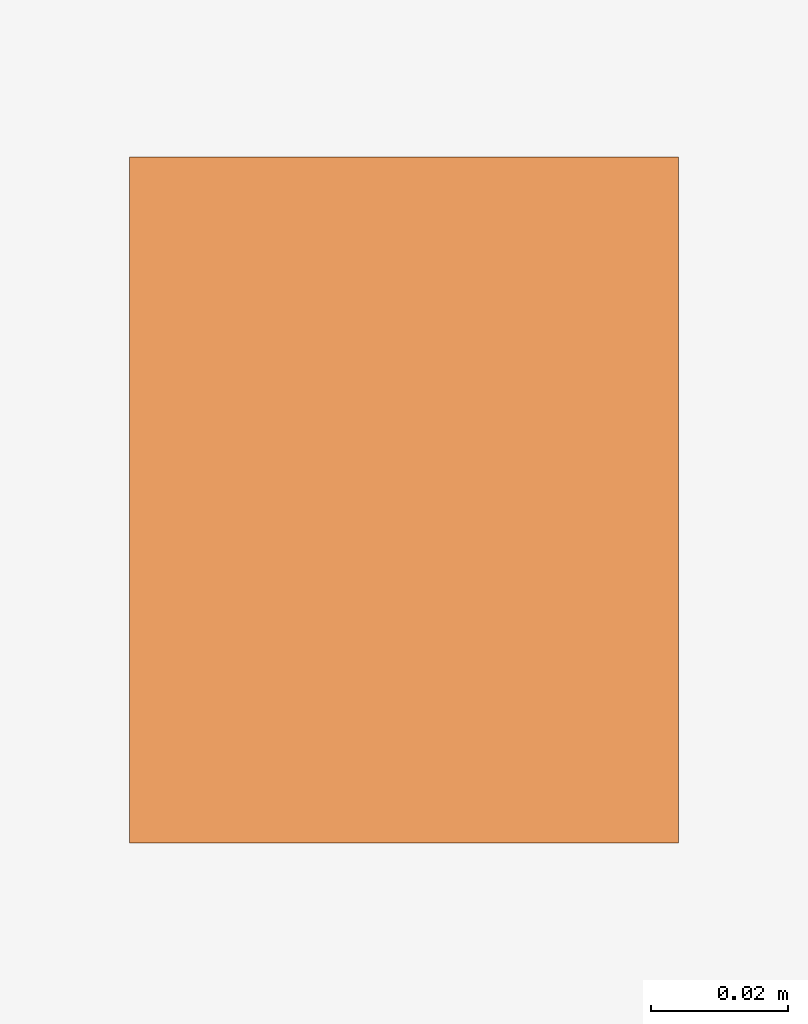
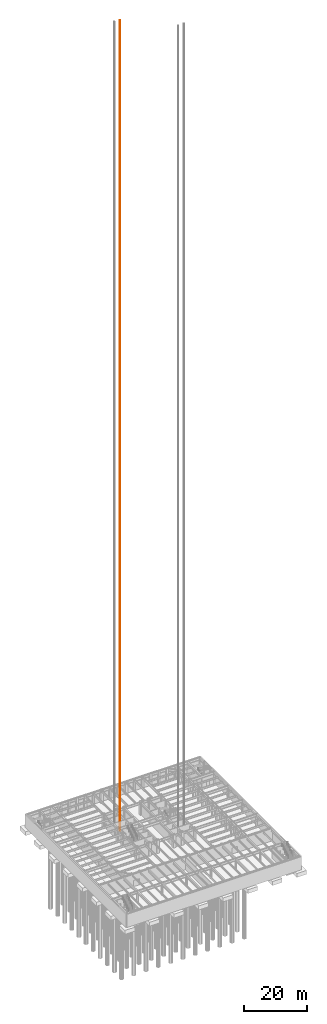
# One storey, part 16 of 18: 1 proxy.
"""IFC4 building model written with IfcOpenShell, lengths in metres."""

from ifc_helpers import new_model, si_unit, direction, frame, origin, origin_2d, place, context, subcontext, project, spatial, rectangle, extrude, material, type_object, element, save


model = new_model("IFC4")

# Units and contexts
model_context = context("Model", 3, precision=1e-05, world=origin(), true_north=direction((0.0, 1.0)))
body_context = subcontext(model_context, "Body", "Model", "MODEL_VIEW")
ifc_project = project(units=[si_unit("LENGTHUNIT", "METRE"), si_unit("AREAUNIT", "SQUARE_METRE"), si_unit("VOLUMEUNIT", "CUBIC_METRE"), si_unit("PLANEANGLEUNIT", "RADIAN"), si_unit("MASSUNIT", "GRAM", prefix="KILO")], contexts=[model_context])

# Site, building, storey
site_placement = place(None, origin())
site = spatial("IfcSite", under=ifc_project, at=site_placement, CompositionType="ELEMENT")
building_placement = place(site_placement, origin())
building = spatial("IfcBuilding", under=site, at=building_placement, Name="Chuquiago Exchange Tower", CompositionType="ELEMENT")
storey_placement = place(building_placement, frame((0.0, 0.0, -5.0)))
storey = spatial("IfcBuildingStorey", under=building, at=storey_placement, Name="B1", CompositionType="ELEMENT", Elevation=-5.0)

# Proxy
ifc_material = material(Name="Galvanised steel guide rail", Category="steel")
building_element_proxy_type = type_object("IfcBuildingElementProxyType", Name="LR lift guide rail", PredefinedType="NOTDEFINED", material=ifc_material)
proxy_placement = place(storey_placement, frame((15.31005859375, 28.5, 0.0), z_axis=(0.0, 0.0, 1.0), x_axis=(1.0, 0.0, 0.0)))
element("IfcBuildingElementProxy", 1, at=proxy_placement, inside=storey, type_object=building_element_proxy_type, Name="Lift FL1 guide rail E", PredefinedType="NOTDEFINED", context=body_context, shape_type="SweptSolid", body=[
    extrude(rectangle(XDim=0.080078125, YDim=0.10009765625, at=origin_2d()), origin(), (0.0, 0.0, 1.0), 313.89990234375),
])

save(model, "model.ifc")
